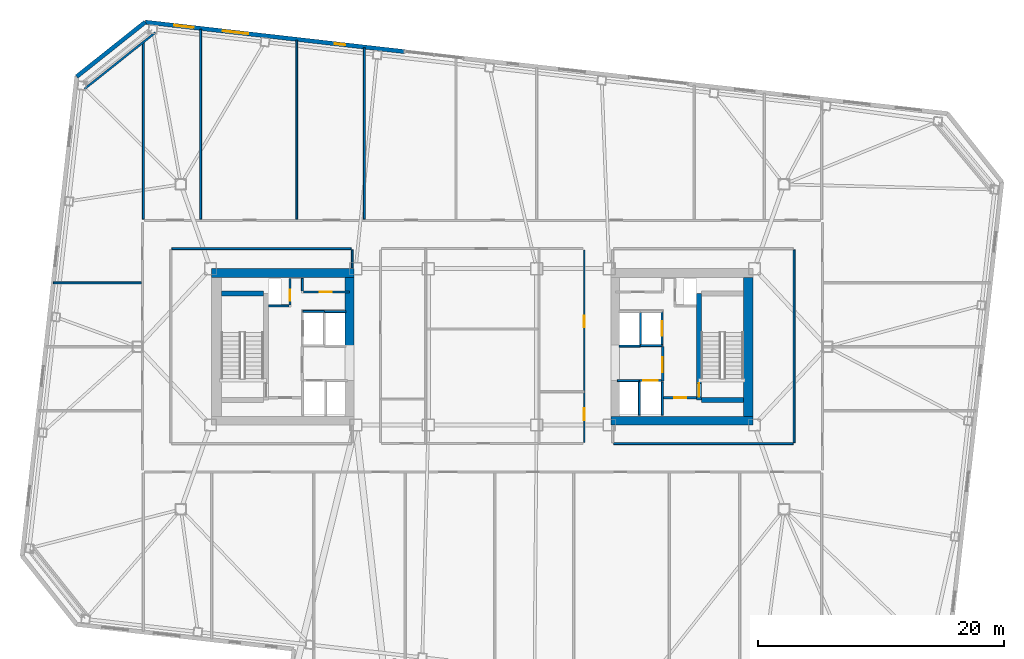
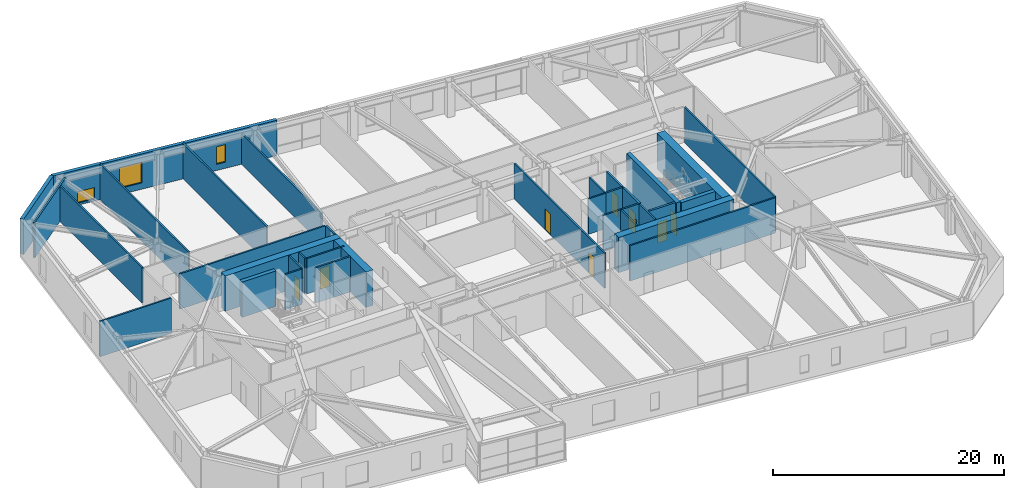
# One storey, part 14 of 22: 36 walls, 9 doors, 3 windows, 12 openings.
"""IFC4 building model written with IfcOpenShell, lengths in metres."""

from ifc_helpers import new_model, si_unit, direction, frame, frame_2d, origin, place, context, subcontext, project, spatial, rectangle, extrude, material, layer, layer_set, type_object, element, fill, save


model = new_model("IFC4")

# Units and contexts
model_context = context("Model", 3, precision=1e-05, world=origin(), true_north=direction((0.0, 1.0)))
body_context = subcontext(model_context, "Body", "Model", "MODEL_VIEW")
ifc_project = project(units=[si_unit("LENGTHUNIT", "METRE"), si_unit("AREAUNIT", "SQUARE_METRE"), si_unit("VOLUMEUNIT", "CUBIC_METRE"), si_unit("PLANEANGLEUNIT", "RADIAN"), si_unit("MASSUNIT", "GRAM", prefix="KILO")], contexts=[model_context])

# Site, building, storey
site_placement = place(None, origin())
site = spatial("IfcSite", under=ifc_project, at=site_placement, CompositionType="ELEMENT")
building_placement = place(site_placement, origin())
building = spatial("IfcBuilding", under=site, at=building_placement, Name="Tavrogorsk Clinical Tower", CompositionType="ELEMENT")
storey_placement = place(building_placement, frame((0.0, 0.0, 93.39990234375)))
storey = spatial("IfcBuildingStorey", under=building, at=storey_placement, Name="L20", CompositionType="ELEMENT", Elevation=93.39990234375)

# Wall, opening, door
ifc_material_1 = material(Name="Concrete B60", Category="concrete")
ifc_layer_1 = layer(ifc_material_1, 0.199951171875)
ifc_layer_set_1 = layer_set([ifc_layer_1], Name="Concrete B60")
wall_type_1 = type_object("IfcWallType", Name="CoreFireWall_200", PredefinedType="SOLIDWALL", material=ifc_layer_set_1)
wall_1_placement = place(storey_placement, frame((14.719970703125, -4.139892578125, 0.0), z_axis=(0.0, 0.0, 1.0), x_axis=(1.0, 0.0, 0.0)))
wall_1 = element("IfcWall", 1, at=wall_1_placement, inside=storey, type_object=wall_type_1, Name="L20 Core East South Core Room Fire Wall", PredefinedType="SOLIDWALL", context=body_context, shape_type="SweptSolid", body=[
    extrude(rectangle(XDim=2.659912109375, YDim=0.199951171875, at=frame_2d((1.330078125, 0.0))), origin(), (0.0, 0.0, 1.0), 3.739990234375),
])
opening_1_placement = place(wall_1_placement, frame((0.8798828125, 0.0, 0.0)))
opening_1 = element("IfcOpeningElement", 2, at=opening_1_placement, cuts=wall_1, Name="Opening ID-02", PredefinedType="OPENING", context=body_context, shape_type="SweptSolid", body=[
    extrude(rectangle(XDim=0.949951171875, YDim=2.199951171875, at=frame_2d((0.47509765625, 1.10009765625))), frame((0.0, 0.10986328125, 0.0), z_axis=(0.0, -1.0, 0.0), x_axis=(1.0, 0.0, 0.0)), (0.0, 0.0, 1.0), 0.219970703125),
])
ifc_material_2 = material(Name="Laminated timber leaf on aluminium frame", Category="wood")
door_type_1 = type_object("IfcDoorType", Name="InteriorDoor_ID02_950", OperationType="NOTDEFINED", PredefinedType="DOOR", material=ifc_material_2)
door_1_placement = place(opening_1_placement, origin())
door_1 = element("IfcDoor", 3, at=door_1_placement, inside=storey, type_object=door_type_1, Name="L20 Core East South Core Room Door", OperationType="SINGLE_SWING_RIGHT", OverallHeight=2.199951171875, OverallWidth=0.949951171875, PredefinedType="DOOR", context=body_context, shape_type="SweptSolid", body=[
    extrude(rectangle(XDim=0.949951171875, YDim=2.199951171875, at=frame_2d((0.47509765625, 1.10009765625))), frame((0.0, 0.02490234375, 0.0), z_axis=(0.0, -1.0, 0.0), x_axis=(1.0, 0.0, 0.0)), (0.0, 0.0, 1.0), 0.050048828125),
])
fill(opening_1, door_1)

wall_2_placement = place(storey_placement, frame((14.639892578125, -2.780029296875, 0.0), z_axis=(0.0, 0.0, 1.0), x_axis=(0.0, 1.0, 0.0)))
wall_2 = element("IfcWall", 4, at=wall_2_placement, inside=storey, type_object=wall_type_1, Name="L20 Core East Firefighting Lobby Fire Wall", PredefinedType="SOLIDWALL", context=body_context, shape_type="SweptSolid", body=[
    extrude(rectangle(XDim=2.820068359375, YDim=0.199951171875, at=frame_2d((1.41015625, 0.0))), origin(), (0.0, 0.0, 1.0), 3.739990234375),
])
opening_2_placement = place(wall_2_placement, frame((0.72998046875, 0.0, 0.0)))
opening_2 = element("IfcOpeningElement", 5, at=opening_2_placement, cuts=wall_2, Name="Opening FD-01", PredefinedType="OPENING", context=body_context, shape_type="SweptSolid", body=[
    extrude(rectangle(XDim=1.199951171875, YDim=2.199951171875, at=frame_2d((0.60009765625, 1.10009765625))), frame((0.0, 0.10986328125, 0.0), z_axis=(0.0, -1.0, 0.0), x_axis=(1.0, 0.0, 0.0)), (0.0, 0.0, 1.0), 0.219970703125),
])
ifc_material_3 = material(Name="Galvanised steel fire-rated door assembly", Category="steel")
door_type_2 = type_object("IfcDoorType", Name="FireDoor_FD01_1200", OperationType="NOTDEFINED", PredefinedType="DOOR", material=ifc_material_3)
door_2_placement = place(opening_2_placement, origin())
door_2 = element("IfcDoor", 6, at=door_2_placement, inside=storey, type_object=door_type_2, Name="L20 Core East Firefighting Lobby Entry Door", OperationType="SINGLE_SWING_RIGHT", OverallHeight=2.199951171875, OverallWidth=1.199951171875, PredefinedType="DOOR", context=body_context, shape_type="SweptSolid", body=[
    extrude(rectangle(XDim=1.199951171875, YDim=2.199951171875, at=frame_2d((0.60009765625, 1.10009765625))), frame((0.0, 0.02490234375, 0.0), z_axis=(0.0, -1.0, 0.0), x_axis=(1.0, 0.0, 0.0)), (0.0, 0.0, 1.0), 0.050048828125),
])
fill(opening_2, door_2)

ifc_material_4 = material(Name="Lightweight concrete blockwork B15", Category="masonry")
ifc_layer_2 = layer(ifc_material_4, 0.159912109375)
ifc_layer_set_2 = layer_set([ifc_layer_2], Name="Lightweight concrete blockwork B15")
wall_type_2 = type_object("IfcWallType", Name="PartitionWall_160", PredefinedType="PARTITIONING", material=ifc_layer_set_2)
wall_3_placement = place(storey_placement, frame((-14.554931640625, 4.4599609375, 0.0), z_axis=(0.0, 0.0, 1.0), x_axis=(1.0, 0.0, 0.0)))
wall_3 = element("IfcWall", 7, at=wall_3_placement, inside=storey, type_object=wall_type_2, Name="L20 Core West Pneumatic Dispatch South Wall", PredefinedType="PARTITIONING", context=body_context, shape_type="SweptSolid", body=[
    extrude(rectangle(XDim=3.7548828125, YDim=0.159912109375, at=frame_2d((1.87744140625, 0.0))), origin(), (0.0, 0.0, 1.0), 3.739990234375),
])
opening_3_placement = place(wall_3_placement, frame((1.35009765625, 0.0, 0.0)))
opening_3 = element("IfcOpeningElement", 8, at=opening_3_placement, cuts=wall_3, Name="Opening ID-02", PredefinedType="OPENING", context=body_context, shape_type="SweptSolid", body=[
    extrude(rectangle(XDim=0.949951171875, YDim=2.199951171875, at=frame_2d((0.47509765625, 1.10009765625))), frame((0.0, 0.08984375, 0.0), z_axis=(0.0, -1.0, 0.0), x_axis=(1.0, 0.0, 0.0)), (0.0, 0.0, 1.0), 0.179931640625),
])
door_3_placement = place(opening_3_placement, origin())
door_3 = element("IfcDoor", 9, at=door_3_placement, inside=storey, type_object=door_type_1, Name="L20 Core West Pneumatic Dispatch Door", OperationType="SINGLE_SWING_LEFT", OverallHeight=2.199951171875, OverallWidth=0.949951171875, PredefinedType="DOOR", context=body_context, shape_type="SweptSolid", body=[
    extrude(rectangle(XDim=0.949951171875, YDim=2.199951171875, at=frame_2d((0.47509765625, 1.10009765625))), frame((0.0, 0.02490234375, 0.0), z_axis=(0.0, -1.0, 0.0), x_axis=(1.0, 0.0, 0.0)), (0.0, 0.0, 1.0), 0.050048828125),
])
fill(opening_3, door_3)

# Walls
wall_4_placement = place(storey_placement, frame((-14.639892578125, 4.544921875, 0.0), z_axis=(0.0, 0.0, 1.0), x_axis=(0.0, 1.0, 0.0)))
element("IfcWall", 10, at=wall_4_placement, inside=storey, type_object=wall_type_2, Name="L20 Core West Pneumatic Dispatch East Wall", PredefinedType="PARTITIONING", context=body_context, shape_type="SweptSolid", body=[
    extrude(rectangle(XDim=1.01513671875, YDim=0.159912109375, at=frame_2d((0.507568359375, 0.0))), origin(), (0.0, 0.0, 1.0), 3.739990234375),
])
wall_5_placement = place(storey_placement, frame((-26.5712890625, 25.534912109375, 0.0), z_axis=(0.0, 0.0, 1.0), x_axis=(-0.782617962887, -0.622502308564, 0.0)))
element("IfcWall", 11, at=wall_5_placement, inside=storey, type_object=wall_type_2, Name="L20 Corner Exoskeleton Brace Furring Wall 3", PredefinedType="PARTITIONING", context=body_context, shape_type="SweptSolid", body=[
    extrude(rectangle(XDim=7.35400390625, YDim=0.159912109375, at=frame_2d((3.677001953125, 0.0))), origin(), (0.0, 0.0, 1.0), 3.739990234375),
])
wall_6_placement = place(storey_placement, frame((10.6650390625, -7.8701171875, 0.0), z_axis=(0.0, 0.0, 1.0), x_axis=(1.0, 0.0, 0.0)))
element("IfcWall", 12, at=wall_6_placement, inside=storey, type_object=wall_type_2, Name="L20 Corridor Partition 08", PredefinedType="PARTITIONING", context=body_context, shape_type="SweptSolid", body=[
    extrude(rectangle(XDim=14.570068359375, YDim=0.159912109375, at=frame_2d((7.28515625, 0.0))), origin(), (0.0, 0.0, 1.0), 3.739990234375),
])
wall_7_placement = place(storey_placement, frame((25.320068359375, -7.784912109375, 0.0), z_axis=(0.0, 0.0, 1.0), x_axis=(0.0, 1.0, 0.0)))
element("IfcWall", 13, at=wall_7_placement, inside=storey, type_object=wall_type_2, Name="L20 Corridor Partition 09", PredefinedType="PARTITIONING", context=body_context, shape_type="SweptSolid", body=[
    extrude(rectangle(XDim=15.669921875, YDim=0.159912109375, at=frame_2d((7.8349609375, 0.0))), origin(), (0.0, 0.0, 1.0), 3.739990234375),
])

# Wall, openings, doors
wall_8_placement = place(storey_placement, frame((8.27001953125, -7.784912109375, 0.0), z_axis=(0.0, 0.0, 1.0), x_axis=(0.0, 1.0, 0.0)))
wall_8 = element("IfcWall", 14, at=wall_8_placement, inside=storey, type_object=wall_type_2, Name="L20 Corridor Partition 10", PredefinedType="PARTITIONING", context=body_context, shape_type="SweptSolid", body=[
    extrude(rectangle(XDim=15.669921875, YDim=0.159912109375, at=frame_2d((7.8349609375, 0.0))), origin(), (0.0, 0.0, 1.0), 3.739990234375),
])
opening_4_placement = place(wall_8_placement, frame((1.8291015625, 0.0, 0.0)))
opening_4 = element("IfcOpeningElement", 15, at=opening_4_placement, cuts=wall_8, Name="Opening ID-02", PredefinedType="OPENING", context=body_context, shape_type="SweptSolid", body=[
    extrude(rectangle(XDim=0.949951171875, YDim=2.199951171875, at=frame_2d((0.47509765625, 1.10009765625))), frame((0.0, 0.08984375, 0.0), z_axis=(0.0, -1.0, 0.0), x_axis=(1.0, 0.0, 0.0)), (0.0, 0.0, 1.0), 0.179931640625),
])
opening_5_placement = place(wall_8_placement, frame((9.36083984375, 0.0, 0.0)))
opening_5 = element("IfcOpeningElement", 16, at=opening_5_placement, cuts=wall_8, Name="Opening ID-02", PredefinedType="OPENING", context=body_context, shape_type="SweptSolid", body=[
    extrude(rectangle(XDim=0.949951171875, YDim=2.199951171875, at=frame_2d((0.47509765625, 1.10009765625))), frame((0.0, 0.08984375, 0.0), z_axis=(0.0, -1.0, 0.0), x_axis=(1.0, 0.0, 0.0)), (0.0, 0.0, 1.0), 0.179931640625),
])
door_4_placement = place(opening_4_placement, origin())
door_4 = element("IfcDoor", 17, at=door_4_placement, inside=storey, type_object=door_type_1, Name="L20 Staff & Visitor Accessible WC Door", OperationType="SINGLE_SWING_LEFT", OverallHeight=2.199951171875, OverallWidth=0.949951171875, PredefinedType="DOOR", context=body_context, shape_type="SweptSolid", body=[
    extrude(rectangle(XDim=0.949951171875, YDim=2.199951171875, at=frame_2d((0.47509765625, 1.10009765625))), frame((0.0, 0.02490234375, 0.0), z_axis=(0.0, -1.0, 0.0), x_axis=(1.0, 0.0, 0.0)), (0.0, 0.0, 1.0), 0.050048828125),
])
fill(opening_4, door_4)
door_5_placement = place(opening_5_placement, origin())
door_5 = element("IfcDoor", 18, at=door_5_placement, inside=storey, type_object=door_type_1, Name="L20 Attending Physician Office Door", OperationType="SINGLE_SWING_RIGHT", OverallHeight=2.199951171875, OverallWidth=0.949951171875, PredefinedType="DOOR", context=body_context, shape_type="SweptSolid", body=[
    extrude(rectangle(XDim=0.949951171875, YDim=2.199951171875, at=frame_2d((0.47509765625, 1.10009765625))), frame((0.0, 0.02490234375, 0.0), z_axis=(0.0, -1.0, 0.0), x_axis=(1.0, 0.0, 0.0)), (0.0, 0.0, 1.0), 0.050048828125),
])
fill(opening_5, door_5)

# Walls
wall_9_placement = place(storey_placement, frame((-10.580078125, 6.419921875, 0.0), z_axis=(0.0, 0.0, 1.0), x_axis=(0.0, 1.0, 0.0)))
element("IfcWall", 19, at=wall_9_placement, inside=storey, type_object=wall_type_2, Name="L20 Corridor Partition 15", PredefinedType="PARTITIONING", context=body_context, shape_type="SweptSolid", body=[
    extrude(rectangle(XDim=1.465087890625, YDim=0.159912109375, at=frame_2d((0.732421875, 0.0))), origin(), (0.0, 0.0, 1.0), 3.739990234375),
])
wall_10_placement = place(storey_placement, frame((-10.6650390625, 7.969970703125, 0.0), z_axis=(0.0, 0.0, 1.0), x_axis=(-1.0, 0.0, 0.0)))
element("IfcWall", 20, at=wall_10_placement, inside=storey, type_object=wall_type_2, Name="L20 Corridor Partition 16", PredefinedType="PARTITIONING", context=body_context, shape_type="SweptSolid", body=[
    extrude(rectangle(XDim=14.570068359375, YDim=0.159912109375, at=frame_2d((7.28515625, 0.0))), origin(), (0.0, 0.0, 1.0), 3.739990234375),
])
wall_11_placement = place(storey_placement, frame((-27.550048828125, 10.364990234375, 0.0), z_axis=(0.0, 0.0, 1.0), x_axis=(0.0, 1.0, 0.0)))
element("IfcWall", 21, at=wall_11_placement, inside=storey, type_object=wall_type_2, Name="L20 NW Wing Closure Partition", PredefinedType="PARTITIONING", context=body_context, shape_type="SweptSolid", body=[
    extrude(rectangle(XDim=14.40869140625, YDim=0.159912109375, at=frame_2d((7.204345703125, 0.0))), origin(), (0.0, 0.0, 1.0), 3.739990234375),
])
wall_12_placement = place(storey_placement, frame((-22.89990234375, 10.364990234375, 0.0), z_axis=(0.0, 0.0, 1.0), x_axis=(0.0, 1.0, 0.0)))
element("IfcWall", 22, at=wall_12_placement, inside=storey, type_object=wall_type_2, Name="L20 North Room Partition 1", PredefinedType="PARTITIONING", context=body_context, shape_type="SweptSolid", body=[
    extrude(rectangle(XDim=15.4365234375, YDim=0.159912109375, at=frame_2d((7.71826171875, 0.0))), origin(), (0.0, 0.0, 1.0), 3.739990234375),
])
wall_13_placement = place(storey_placement, frame((-9.60009765625, 10.364990234375, 0.0), z_axis=(0.0, 0.0, 1.0), x_axis=(0.0, 1.0, 0.0)))
element("IfcWall", 23, at=wall_13_placement, inside=storey, type_object=wall_type_2, Name="L20 North Room Partition 2", PredefinedType="PARTITIONING", context=body_context, shape_type="SweptSolid", body=[
    extrude(rectangle(XDim=13.921142578125, YDim=0.159912109375, at=frame_2d((6.96044921875, 0.0))), origin(), (0.0, 0.0, 1.0), 3.235107421875),
])
wall_14_placement = place(storey_placement, frame((-15.090087890625, 10.364990234375, 0.0), z_axis=(0.0, 0.0, 1.0), x_axis=(0.0, 1.0, 0.0)))
element("IfcWall", 24, at=wall_14_placement, inside=storey, type_object=wall_type_2, Name="L20 North Sub-Partition 2", PredefinedType="PARTITIONING", context=body_context, shape_type="SweptSolid", body=[
    extrude(rectangle(XDim=14.546630859375, YDim=0.159912109375, at=frame_2d((7.2734375, 0.0))), origin(), (0.0, 0.0, 1.0), 3.739990234375),
])
wall_15_placement = place(storey_placement, frame((-34.857177734375, 5.199951171875, 0.0), z_axis=(0.0, 0.0, 1.0), x_axis=(1.0, 0.0, 0.0)))
element("IfcWall", 25, at=wall_15_placement, inside=storey, type_object=wall_type_2, Name="L20 W Wing Divider 3", PredefinedType="PARTITIONING", context=body_context, shape_type="SweptSolid", body=[
    extrude(rectangle(XDim=7.14208984375, YDim=0.159912109375, at=frame_2d((3.571044921875, 0.0))), origin(), (0.0, 0.0, 1.0), 3.739990234375),
])

# Wall, openings, windows
ifc_material_5 = material(Name="Precast concrete B45 with limestone cladding", Category="masonry")
ifc_layer_3 = layer(ifc_material_5, 0.340087890625)
ifc_layer_set_3 = layer_set([ifc_layer_3], Name="Precast concrete B45 with limestone cladding")
wall_type_3 = type_object("IfcWallType", Name="PrecastLimestoneWall_340", PredefinedType="STANDARD", material=ifc_layer_set_3)
wall_16_placement = place(storey_placement, frame((-6.314453125, 23.982177734375, 0.0), z_axis=(0.0, 0.0, 1.0), x_axis=(-0.993571362037, 0.113207546299, 0.0)))
wall_16 = element("IfcWall", 26, at=wall_16_placement, inside=storey, type_object=wall_type_3, Name="L20 N Limestone Facade Wall 3", PredefinedType="STANDARD", context=body_context, shape_type="SweptSolid", body=[
    extrude(rectangle(XDim=21.222900390625, YDim=0.340087890625, at=frame_2d((10.611328125, 0.0))), origin(), (0.0, 0.0, 1.0), 3.739990234375),
])
opening_6_placement = place(wall_16_placement, frame((17.264892578125, 0.0, 0.219970703125)))
opening_6 = element("IfcOpeningElement", 27, at=opening_6_placement, cuts=wall_16, Name="Opening WN-09", PredefinedType="OPENING", context=body_context, shape_type="SweptSolid", body=[
    extrude(rectangle(XDim=1.60009765625, YDim=1.199951171875, at=frame_2d((0.800048828125, 0.60009765625))), frame((0.0, 0.179931640625, 0.0), z_axis=(0.0, -1.0, 0.0), x_axis=(1.0, 0.0, 0.0)), (0.0, 0.0, 1.0), 0.360107421875),
])
opening_7_placement = place(wall_16_placement, frame((12.793701171875, 0.0, 0.669921875)))
opening_7 = element("IfcOpeningElement", 28, at=opening_7_placement, cuts=wall_16, Name="Opening WN-03", PredefinedType="OPENING", context=body_context, shape_type="SweptSolid", body=[
    extrude(rectangle(XDim=2.10009765625, YDim=2.199951171875, at=frame_2d((1.050048828125, 1.10009765625))), frame((0.0, 0.179931640625, 0.0), z_axis=(0.0, -1.0, 0.0), x_axis=(1.0, 0.0, 0.0)), (0.0, 0.0, 1.0), 0.360107421875),
])
opening_8_placement = place(wall_16_placement, frame((4.866455078125, 0.0, 0.669921875)))
opening_8 = element("IfcOpeningElement", 29, at=opening_8_placement, cuts=wall_16, Name="Opening WN-06", PredefinedType="OPENING", context=body_context, shape_type="SweptSolid", body=[
    extrude(rectangle(XDim=0.85009765625, YDim=1.85009765625, at=frame_2d((0.425048828125, 0.925048828125))), frame((0.0, 0.179931640625, 0.0), z_axis=(0.0, -1.0, 0.0), x_axis=(1.0, 0.0, 0.0)), (0.0, 0.0, 1.0), 0.360107421875),
])
ifc_material_6 = material(Name="Thermally broken aluminium frame and triple IGU", Category="aluminium")
window_type_1 = type_object("IfcWindowType", Name="LowHeadTransWin_1600x1200", PartitioningType="DOUBLE_PANEL_VERTICAL", PredefinedType="WINDOW", material=ifc_material_6)
window_1_placement = place(opening_6_placement, origin())
window_1 = element("IfcWindow", 30, at=window_1_placement, inside=storey, type_object=window_type_1, Name="L20 N Chicago Window 01", OverallHeight=1.199951171875, OverallWidth=1.60009765625, PartitioningType="SINGLE_PANEL", PredefinedType="WINDOW", context=body_context, shape_type="SweptSolid", body=[
    extrude(rectangle(XDim=1.60009765625, YDim=1.199951171875, at=frame_2d((0.800048828125, 0.60009765625))), frame((0.0, 0.030029296875, 0.0), z_axis=(0.0, -1.0, 0.0), x_axis=(1.0, 0.0, 0.0)), (0.0, 0.0, 1.0), 0.06005859375),
])
fill(opening_6, window_1)
ifc_material_7 = material(Name="Thermally broken aluminium frame and triple IGU", Category="aluminium")
window_type_2 = type_object("IfcWindowType", Name="MullionSubWin_850x1850", PartitioningType="SINGLE_PANEL", PredefinedType="WINDOW", material=ifc_material_7)
window_2_placement = place(opening_8_placement, origin())
window_2 = element("IfcWindow", 31, at=window_2_placement, inside=storey, type_object=window_type_2, Name="L20 N Mullion Split Window 04B", OverallHeight=1.85009765625, OverallWidth=0.85009765625, PartitioningType="SINGLE_PANEL", PredefinedType="WINDOW", context=body_context, shape_type="SweptSolid", body=[
    extrude(rectangle(XDim=0.85009765625, YDim=1.85009765625, at=frame_2d((0.425048828125, 0.925048828125))), frame((0.0, 0.030029296875, 0.0), z_axis=(0.0, -1.0, 0.0), x_axis=(1.0, 0.0, 0.0)), (0.0, 0.0, 1.0), 0.06005859375),
])
fill(opening_8, window_2)
ifc_material_8 = material(Name="Thermally broken aluminium frame and triple IGU", Category="aluminium")
window_type_3 = type_object("IfcWindowType", Name="PatientTwinWin_2100x2200", PartitioningType="DOUBLE_PANEL_VERTICAL", PredefinedType="WINDOW", material=ifc_material_8)
window_3_placement = place(opening_7_placement, origin())
window_3 = element("IfcWindow", 32, at=window_3_placement, inside=storey, type_object=window_type_3, Name="L20 N Chicago Window 02", OverallHeight=2.199951171875, OverallWidth=2.10009765625, PartitioningType="SINGLE_PANEL", PredefinedType="WINDOW", context=body_context, shape_type="SweptSolid", body=[
    extrude(rectangle(XDim=2.10009765625, YDim=2.199951171875, at=frame_2d((1.050048828125, 1.10009765625))), frame((0.0, 0.030029296875, 0.0), z_axis=(0.0, -1.0, 0.0), x_axis=(1.0, 0.0, 0.0)), (0.0, 0.0, 1.0), 0.06005859375),
])
fill(opening_7, window_3)

# Walls
wall_17_placement = place(storey_placement, frame((-27.40087890625, 26.384765625, 0.0), z_axis=(0.0, 0.0, 1.0), x_axis=(-0.78261359446, -0.622507800567, 0.0)))
element("IfcWall", 33, at=wall_17_placement, inside=storey, type_object=wall_type_3, Name="L20 Chamfered Corner Wall 3", PredefinedType="STANDARD", context=body_context, shape_type="SweptSolid", body=[
    extrude(rectangle(XDim=7.113525390625, YDim=0.340087890625, at=frame_2d((3.556640625, 0.0))), origin(), (0.0, 0.0, 1.0), 3.739990234375),
])
ifc_material_9 = material(Name="Lightweight concrete blockwork B25", Category="masonry")
ifc_layer_4 = layer(ifc_material_9, 0.159912109375)
ifc_layer_set_4 = layer_set([ifc_layer_4], Name="Lightweight concrete blockwork B25")
wall_type_4 = type_object("IfcWallType", Name="ShaftWall_160", PredefinedType="PARTITIONING", material=ifc_layer_set_4)
wall_18_placement = place(storey_placement, frame((-14.60009765625, 2.8798828125, 0.0), z_axis=(0.0, 0.0, 1.0), x_axis=(1.0, 0.0, 0.0)))
element("IfcWall", 34, at=wall_18_placement, inside=storey, type_object=wall_type_4, Name="L20 FFL-W Shaft North Wall", PredefinedType="PARTITIONING", context=body_context, shape_type="SweptSolid", body=[
    extrude(rectangle(XDim=1.760009765625, YDim=0.159912109375, at=frame_2d((0.8798828125, 0.0))), origin(), (0.0, 0.0, 1.0), 3.739990234375),
])
wall_19_placement = place(storey_placement, frame((-12.820068359375, 2.860107421875, 0.0), z_axis=(0.0, 0.0, 1.0), x_axis=(1.0, 0.0, 0.0)))
element("IfcWall", 35, at=wall_19_placement, inside=storey, type_object=wall_type_4, Name="L20 LP-H1 High-Zone Lift Rear Wall", PredefinedType="PARTITIONING", context=body_context, shape_type="SweptSolid", body=[
    extrude(rectangle(XDim=1.719970703125, YDim=0.159912109375, at=frame_2d((0.85986328125, 0.0))), origin(), (0.0, 0.0, 1.0), 3.739990234375),
])

# Wall, opening, door
wall_20_placement = place(storey_placement, frame((14.60009765625, 0.1201171875, 0.0), z_axis=(0.0, 0.0, 1.0), x_axis=(0.0, 1.0, 0.0)))
wall_20 = element("IfcWall", 36, at=wall_20_placement, inside=storey, type_object=wall_type_4, Name="L20 FFL-E Firefighting Lift Front Wall", PredefinedType="PARTITIONING", context=body_context, shape_type="SweptSolid", body=[
    extrude(rectangle(XDim=2.739990234375, YDim=0.159912109375, at=frame_2d((1.3701171875, 0.0))), origin(), (0.0, 0.0, 1.0), 3.739990234375),
])
opening_9_placement = place(wall_20_placement, frame((0.77001953125, 0.0, 0.0)))
opening_9 = element("IfcOpeningElement", 37, at=opening_9_placement, cuts=wall_20, Name="Opening LD", PredefinedType="OPENING", context=body_context, shape_type="SweptSolid", body=[
    extrude(rectangle(XDim=1.199951171875, YDim=2.199951171875, at=frame_2d((0.60009765625, 1.10009765625))), frame((0.0, 0.08984375, 0.0), z_axis=(0.0, -1.0, 0.0), x_axis=(1.0, 0.0, 0.0)), (0.0, 0.0, 1.0), 0.179931640625),
])
ifc_material_10 = material(Name="Brushed stainless steel AISI 304 sliding doors", Category="steel")
door_type_3 = type_object("IfcDoorType", Name="LiftLandingDoor_LD_1200", OperationType="SLIDING_TO_LEFT", PredefinedType="DOOR", material=ifc_material_10)
door_6_placement = place(opening_9_placement, origin())
door_6 = element("IfcDoor", 38, at=door_6_placement, inside=storey, type_object=door_type_3, Name="L20 FFL-E Sliding Lift Landing Door", OperationType="SLIDING_TO_LEFT", OverallHeight=2.199951171875, OverallWidth=1.199951171875, PredefinedType="DOOR", context=body_context, shape_type="SweptSolid", body=[
    extrude(rectangle(XDim=1.199951171875, YDim=2.199951171875, at=frame_2d((0.60009765625, 1.10009765625))), frame((0.0, 0.02490234375, 0.0), z_axis=(0.0, -1.0, 0.0), x_axis=(1.0, 0.0, 0.0)), (0.0, 0.0, 1.0), 0.050048828125),
])
fill(opening_9, door_6)

# Walls
wall_21_placement = place(storey_placement, frame((12.840087890625, 0.10009765625, 0.0), z_axis=(0.0, 0.0, 1.0), x_axis=(1.0, 0.0, 0.0)))
element("IfcWall", 39, at=wall_21_placement, inside=storey, type_object=wall_type_4, Name="L20 FFL-E Shaft South Wall", PredefinedType="PARTITIONING", context=body_context, shape_type="SweptSolid", body=[
    extrude(rectangle(XDim=1.760009765625, YDim=0.159912109375, at=frame_2d((0.8798828125, 0.0))), origin(), (0.0, 0.0, 1.0), 3.739990234375),
])
wall_22_placement = place(storey_placement, frame((12.840087890625, 0.179931640625, 0.0), z_axis=(0.0, 0.0, 1.0), x_axis=(0.0, 1.0, 0.0)))
element("IfcWall", 40, at=wall_22_placement, inside=storey, type_object=wall_type_4, Name="L20 FFL-E Shaft Back Wall", PredefinedType="PARTITIONING", context=body_context, shape_type="SweptSolid", body=[
    extrude(rectangle(XDim=2.6201171875, YDim=0.159912109375, at=frame_2d((1.31005859375, 0.0))), origin(), (0.0, 0.0, 1.0), 3.739990234375),
])

# Wall, opening, door
wall_23_placement = place(storey_placement, frame((12.77001953125, -2.75, 0.0), z_axis=(0.0, 0.0, 1.0), x_axis=(1.0, 0.0, 0.0)))
wall_23 = element("IfcWall", 41, at=wall_23_placement, inside=storey, type_object=wall_type_4, Name="L20 LP-L2 Lift Shaft Portal Wall", PredefinedType="PARTITIONING", context=body_context, shape_type="SweptSolid", body=[
    extrude(rectangle(XDim=1.760009765625, YDim=0.159912109375, at=frame_2d((0.8798828125, 0.0))), origin(), (0.0, 0.0, 1.0), 3.739990234375),
])
opening_10_placement = place(wall_23_placement, frame((0.280029296875, 0.0, 0.0)))
opening_10 = element("IfcOpeningElement", 42, at=opening_10_placement, cuts=wall_23, Name="Opening LD", PredefinedType="OPENING", context=body_context, shape_type="SweptSolid", body=[
    extrude(rectangle(XDim=1.199951171875, YDim=2.199951171875, at=frame_2d((0.60009765625, 1.10009765625))), frame((0.0, 0.08984375, 0.0), z_axis=(0.0, -1.0, 0.0), x_axis=(1.0, 0.0, 0.0)), (0.0, 0.0, 1.0), 0.179931640625),
])
door_7_placement = place(opening_10_placement, origin())
door_7 = element("IfcDoor", 43, at=door_7_placement, inside=storey, type_object=door_type_3, Name="L20 LP-L2 Sliding Lift Landing Door", OperationType="SLIDING_TO_LEFT", OverallHeight=2.199951171875, OverallWidth=1.199951171875, PredefinedType="DOOR", context=body_context, shape_type="SweptSolid", body=[
    extrude(rectangle(XDim=1.199951171875, YDim=2.199951171875, at=frame_2d((0.60009765625, 1.10009765625))), frame((0.0, 0.02490234375, 0.0), z_axis=(0.0, -1.0, 0.0), x_axis=(1.0, 0.0, 0.0)), (0.0, 0.0, 1.0), 0.050048828125),
])
fill(opening_10, door_7)

# Walls
for number, where, z_axis, x_axis, name in (
    (44, (12.75, -5.5400390625, 0.0), (0.0, 0.0, 1.0), (0.0, 1.0, 0.0), "L20 LP-L2 Lift Hoistway Divider Wall"),
    (45, (14.610107421875, -5.5400390625, 0.0), (0.0, 0.0, 1.0), (0.0, 1.0, 0.0), "L20 LP-L2 Lift Hoistway Outer Cheek Wall"),
):
    element("IfcWall", number, at=place(storey_placement, frame(where, z_axis=z_axis, x_axis=x_axis)), inside=storey, type_object=wall_type_4, Name=name, PredefinedType="PARTITIONING", context=body_context, shape_type="SweptSolid", body=[
        extrude(rectangle(XDim=2.699951171875, YDim=0.159912109375, at=frame_2d((1.35009765625, 0.0))), origin(), (0.0, 0.0, 1.0), 3.739990234375),
    ])
wall_24_placement = place(storey_placement, frame((10.969970703125, -2.75, 0.0), z_axis=(0.0, 0.0, 1.0), x_axis=(1.0, 0.0, 0.0)))
element("IfcWall", 46, at=wall_24_placement, inside=storey, type_object=wall_type_4, Name="L20 LP-M2 Lift Shaft Portal Wall", PredefinedType="PARTITIONING", context=body_context, shape_type="SweptSolid", body=[
    extrude(rectangle(XDim=1.760009765625, YDim=0.159912109375, at=frame_2d((0.8798828125, 0.0))), origin(), (0.0, 0.0, 1.0), 3.739990234375),
])
wall_25_placement = place(storey_placement, frame((11.10009765625, 0.06005859375, 0.0), z_axis=(0.0, 0.0, 1.0), x_axis=(1.0, 0.0, 0.0)))
element("IfcWall", 47, at=wall_25_placement, inside=storey, type_object=wall_type_4, Name="L20 LP-H2 High-Zone Lift Portal Wall", PredefinedType="PARTITIONING", context=body_context, shape_type="SweptSolid", body=[
    extrude(rectangle(XDim=1.719970703125, YDim=0.159912109375, at=frame_2d((0.85986328125, 0.0))), origin(), (0.0, 0.0, 1.0), 3.739990234375),
])

# Wall, opening, door
wall_26_placement = place(storey_placement, frame((-15.639892578125, 3.405029296875, 0.0), z_axis=(0.0, 0.0, 1.0), x_axis=(0.0, 1.0, 0.0)))
wall_26 = element("IfcWall", 48, at=wall_26_placement, inside=storey, type_object=wall_type_4, Name="L20 Core West Riser West Wall", PredefinedType="PARTITIONING", context=body_context, shape_type="SweptSolid", body=[
    extrude(rectangle(XDim=2.155029296875, YDim=0.159912109375, at=frame_2d((1.07763671875, 0.0))), origin(), (0.0, 0.0, 1.0), 3.739990234375),
])
opening_11_placement = place(wall_26_placement, frame((0.35009765625, 0.0, 0.0)))
opening_11 = element("IfcOpeningElement", 49, at=opening_11_placement, cuts=wall_26, Name="Opening FD-02", PredefinedType="OPENING", context=body_context, shape_type="SweptSolid", body=[
    extrude(rectangle(XDim=0.89990234375, YDim=2.199951171875, at=frame_2d((0.449951171875, 1.10009765625))), frame((0.0, 0.08984375, 0.0), z_axis=(0.0, -1.0, 0.0), x_axis=(1.0, 0.0, 0.0)), (0.0, 0.0, 1.0), 0.179931640625),
])
ifc_material_11 = material(Name="Galvanised steel fire-rated door assembly", Category="steel")
door_type_4 = type_object("IfcDoorType", Name="FireDoor_FD02_900", OperationType="NOTDEFINED", PredefinedType="DOOR", material=ifc_material_11)
door_8_placement = place(opening_11_placement, origin())
door_8 = element("IfcDoor", 50, at=door_8_placement, inside=storey, type_object=door_type_4, Name="L20 Core West Electrical Riser Access Door", OperationType="SINGLE_SWING_LEFT", OverallHeight=2.199951171875, OverallWidth=0.89990234375, PredefinedType="DOOR", context=body_context, shape_type="SweptSolid", body=[
    extrude(rectangle(XDim=0.89990234375, YDim=2.199951171875, at=frame_2d((0.449951171875, 1.10009765625))), frame((0.0, 0.02490234375, 0.0), z_axis=(0.0, -1.0, 0.0), x_axis=(1.0, 0.0, 0.0)), (0.0, 0.0, 1.0), 0.050048828125),
])
fill(opening_11, door_8)

# Walls
wall_27_placement = place(storey_placement, frame((-17.3798828125, 3.320068359375, 0.0), z_axis=(0.0, 0.0, 1.0), x_axis=(1.0, 0.0, 0.0)))
element("IfcWall", 51, at=wall_27_placement, inside=storey, type_object=wall_type_4, Name="L20 Core West Riser South Wall", PredefinedType="PARTITIONING", context=body_context, shape_type="SweptSolid", body=[
    extrude(rectangle(XDim=1.65478515625, YDim=0.159912109375, at=frame_2d((0.827392578125, 0.0))), origin(), (0.0, 0.0, 1.0), 3.739990234375),
])
ifc_material_12 = material(Name="Concrete B80", Category="concrete")
ifc_layer_5 = layer(ifc_material_12, 0.39990234375)
ifc_layer_set_5 = layer_set([ifc_layer_5], Name="Concrete B80")
wall_type_5 = type_object("IfcWallType", Name="ShearWall_400", PredefinedType="SHEAR", material=ifc_layer_set_5)
wall_28_placement = place(storey_placement, frame((-21.199951171875, 4.324951171875, 0.0), z_axis=(0.0, 0.0, 1.0), x_axis=(1.0, 0.0, 0.0)))
element("IfcWall", 52, at=wall_28_placement, inside=storey, type_object=wall_type_5, Name="L20 Core West Stair Shaft North Shear Wall", PredefinedType="SHEAR", context=body_context, shape_type="SweptSolid", body=[
    extrude(rectangle(XDim=3.39990234375, YDim=0.39990234375, at=frame_2d((1.699951171875, 0.0))), origin(), (0.0, 0.0, 1.0), 3.739990234375),
])

# Wall, opening, door
wall_29_placement = place(storey_placement, frame((17.60009765625, -4.324951171875, 0.0), z_axis=(0.0, 0.0, 1.0), x_axis=(0.0, 1.0, 0.0)))
wall_29 = element("IfcWall", 53, at=wall_29_placement, inside=storey, type_object=wall_type_5, Name="L20 Core East Stair Shaft Inner Shear Wall", PredefinedType="SHEAR", context=body_context, shape_type="SweptSolid", body=[
    extrude(rectangle(XDim=8.64990234375, YDim=0.39990234375, at=frame_2d((4.324951171875, 0.0))), origin(), (0.0, 0.0, 1.0), 3.739990234375),
])
opening_12_placement = place(wall_29_placement, frame((0.25, 0.0, 0.0)))
opening_12 = element("IfcOpeningElement", 54, at=opening_12_placement, cuts=wall_29, Name="Opening SD-01", PredefinedType="OPENING", context=body_context, shape_type="SweptSolid", body=[
    extrude(rectangle(XDim=1.10009765625, YDim=2.199951171875, at=frame_2d((0.550048828125, 1.10009765625))), frame((0.0, 0.2099609375, 0.0), z_axis=(0.0, -1.0, 0.0), x_axis=(1.0, 0.0, 0.0)), (0.0, 0.0, 1.0), 0.419921875),
])
ifc_material_13 = material(Name="Galvanised steel smoke-tight fire door assembly", Category="steel")
door_type_5 = type_object("IfcDoorType", Name="StairFireDoor_SD01_1100", OperationType="NOTDEFINED", PredefinedType="DOOR", material=ifc_material_13)
door_9_placement = place(opening_12_placement, origin())
door_9 = element("IfcDoor", 55, at=door_9_placement, inside=storey, type_object=door_type_5, Name="L20 ST-E Exit Stair Door", OperationType="SINGLE_SWING_RIGHT", OverallHeight=2.199951171875, OverallWidth=1.10009765625, PredefinedType="DOOR", context=body_context, shape_type="SweptSolid", body=[
    extrude(rectangle(XDim=1.10009765625, YDim=2.199951171875, at=frame_2d((0.550048828125, 1.10009765625))), frame((0.0, 0.02490234375, 0.0), z_axis=(0.0, -1.0, 0.0), x_axis=(1.0, 0.0, 0.0)), (0.0, 0.0, 1.0), 0.050048828125),
])
fill(opening_12, door_9)

# Walls
wall_30_placement = place(storey_placement, frame((17.800048828125, -4.324951171875, 0.0), z_axis=(0.0, 0.0, 1.0), x_axis=(1.0, 0.0, 0.0)))
element("IfcWall", 56, at=wall_30_placement, inside=storey, type_object=wall_type_5, Name="L20 Core East Stair Shaft South Shear Wall", PredefinedType="SHEAR", context=body_context, shape_type="SweptSolid", body=[
    extrude(rectangle(XDim=3.39990234375, YDim=0.39990234375, at=frame_2d((1.699951171875, 0.0))), origin(), (0.0, 0.0, 1.0), 3.739990234375),
])
ifc_material_14 = material(Name="Concrete B80", Category="concrete")
ifc_layer_6 = layer(ifc_material_14, 0.699951171875)
ifc_layer_set_6 = layer_set([ifc_layer_6], Name="Concrete B80")
wall_type_6 = type_object("IfcWallType", Name="ShearWall_700", PredefinedType="SHEAR", material=ifc_layer_set_6)
wall_31_placement = place(storey_placement, frame((-22.0, 6.0, 0.0), z_axis=(0.0, 0.0, 1.0), x_axis=(1.0, 0.0, 0.0)))
element("IfcWall", 57, at=wall_31_placement, inside=storey, type_object=wall_type_6, Name="L20 Core West North Shear Wall", PredefinedType="SHEAR", context=body_context, shape_type="SweptSolid", body=[
    extrude(rectangle(XDim=11.550048828125, YDim=0.699951171875, at=frame_2d((5.77490234375, 0.0))), origin(), (0.0, 0.0, 1.0), 3.739990234375),
])
wall_32_placement = place(storey_placement, frame((-10.800048828125, 0.050048828125, 0.0), z_axis=(0.0, 0.0, 1.0), x_axis=(0.0, 1.0, 0.0)))
element("IfcWall", 58, at=wall_32_placement, inside=storey, type_object=wall_type_6, Name="L20 Core West Inner North Pier", PredefinedType="SHEAR", context=body_context, shape_type="SweptSolid", body=[
    extrude(rectangle(XDim=5.599853515625, YDim=0.699951171875, at=frame_2d((2.7998046875, 0.0))), origin(), (0.0, 0.0, 1.0), 3.739990234375),
])
wall_33_placement = place(storey_placement, frame((10.449951171875, -6.0, 0.0), z_axis=(0.0, 0.0, 1.0), x_axis=(1.0, 0.0, 0.0)))
element("IfcWall", 59, at=wall_33_placement, inside=storey, type_object=wall_type_6, Name="L20 Core East South Shear Wall", PredefinedType="SHEAR", context=body_context, shape_type="SweptSolid", body=[
    extrude(rectangle(XDim=11.550048828125, YDim=0.699951171875, at=frame_2d((5.77490234375, 0.0))), origin(), (0.0, 0.0, 1.0), 3.739990234375),
])
ifc_material_15 = material(Name="Concrete B80", Category="concrete")
ifc_layer_7 = layer(ifc_material_15, 0.800048828125)
ifc_layer_set_7 = layer_set([ifc_layer_7], Name="Concrete B80")
wall_type_7 = type_object("IfcWallType", Name="ShearWall_800", PredefinedType="SHEAR", material=ifc_layer_set_7)
wall_34_placement = place(storey_placement, frame((21.60009765625, -5.64990234375, 0.0), z_axis=(0.0, 0.0, 1.0), x_axis=(0.0, 1.0, 0.0)))
element("IfcWall", 60, at=wall_34_placement, inside=storey, type_object=wall_type_7, Name="L20 Core East End Shear Wall", PredefinedType="SHEAR", context=body_context, shape_type="SweptSolid", body=[
    extrude(rectangle(XDim=11.2998046875, YDim=0.800048828125, at=frame_2d((5.64990234375, 0.0))), origin(), (0.0, 0.0, 1.0), 3.739990234375),
])

save(model, "model.ifc")
